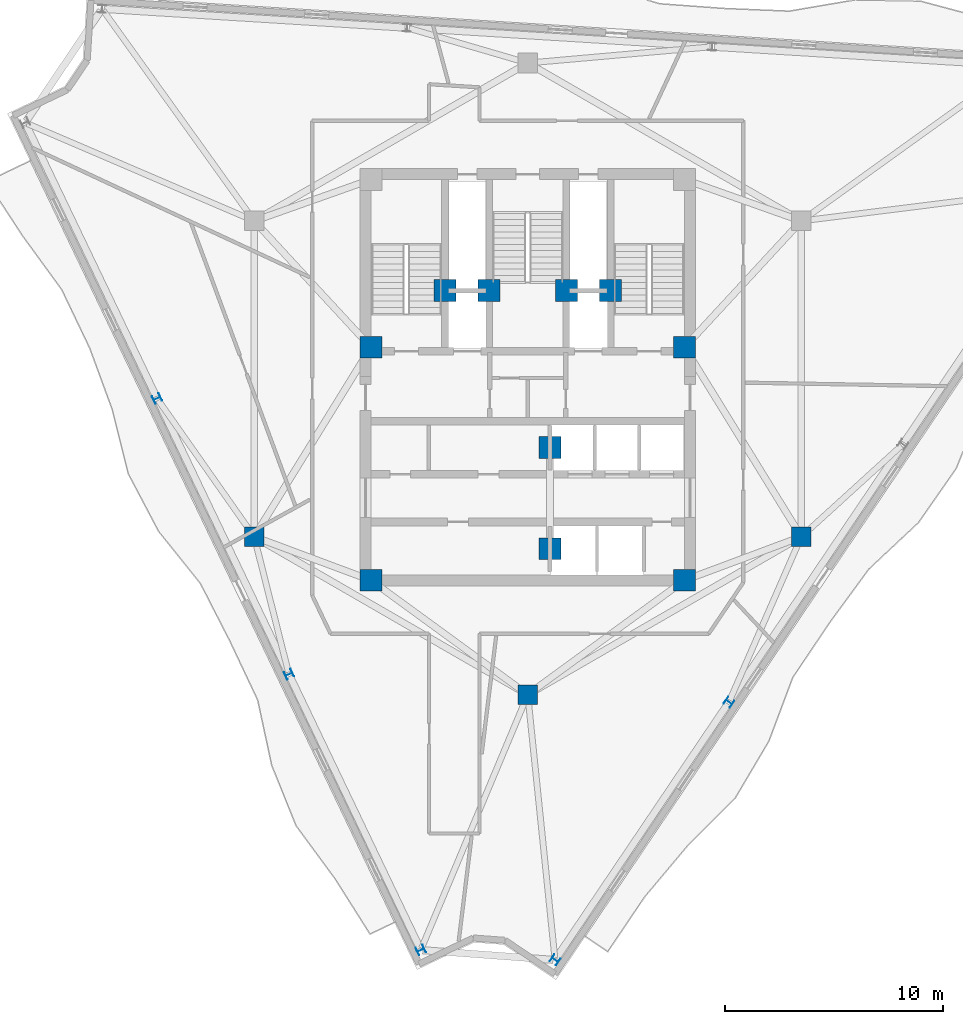
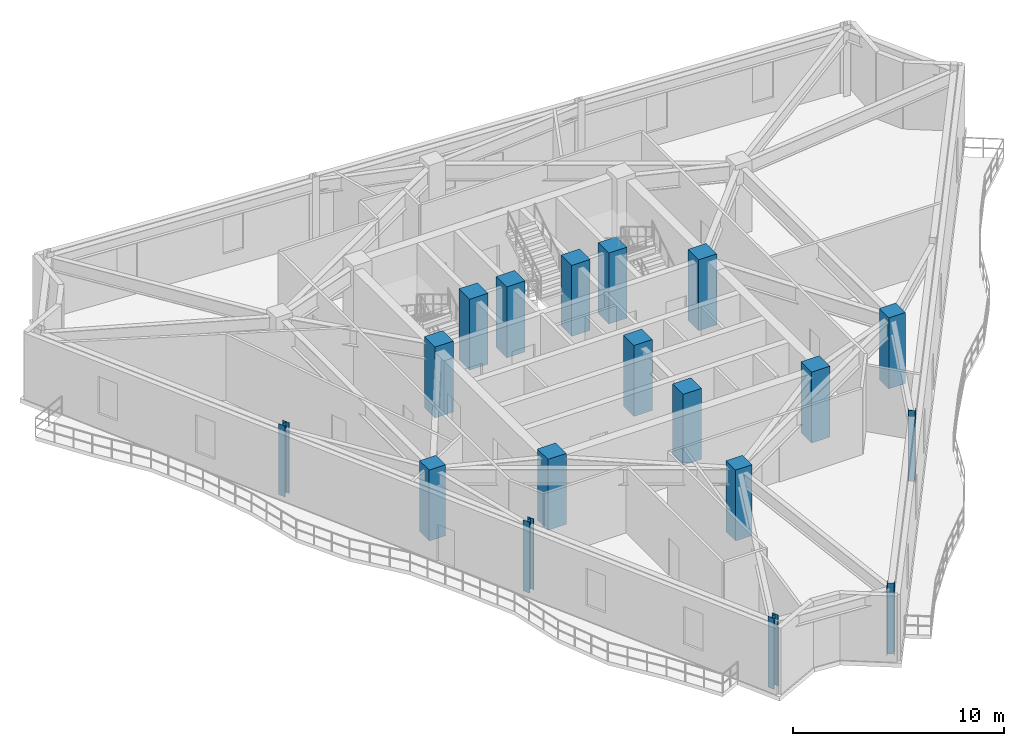
# One storey, part 1 of 11: 18 columns.
"""IFC4 building model written with IfcOpenShell, lengths in metres."""

from ifc_helpers import new_model, si_unit, direction, frame, origin, origin_2d, place, context, subcontext, project, spatial, rectangle, i_section, extrude, material, material_profile, profile_set, type_object, element, save


model = new_model("IFC4")

# Units and contexts
model_context = context("Model", 3, precision=1e-05, world=origin(), true_north=direction((0.0, 1.0)))
body_context = subcontext(model_context, "Body", "Model", "MODEL_VIEW")
ifc_project = project(units=[si_unit("LENGTHUNIT", "METRE"), si_unit("AREAUNIT", "SQUARE_METRE"), si_unit("VOLUMEUNIT", "CUBIC_METRE"), si_unit("PLANEANGLEUNIT", "RADIAN"), si_unit("MASSUNIT", "GRAM", prefix="KILO")], contexts=[model_context])

# Site, building, storey
site_placement = place(None, origin())
site = spatial("IfcSite", under=ifc_project, at=site_placement, CompositionType="ELEMENT")
building_placement = place(site_placement, origin())
building = spatial("IfcBuilding", under=site, at=building_placement, Name="Apsidion Concourse Tower", CompositionType="ELEMENT")
storey_placement = place(building_placement, frame((0.0, 0.0, 314.699951171875)))
storey = spatial("IfcBuildingStorey", under=building, at=storey_placement, Name="L74", CompositionType="ELEMENT", Elevation=314.699951171875)

# Columns
ifc_material_1 = material(Name="Concrete C50/60", Category="concrete")
ifc_material_profile_1 = material_profile(ifc_material_1, rectangle(XDim=1.0, YDim=1.0, at=origin_2d()), Name="RC 1000x1000")
ifc_profile_set_1 = profile_set([ifc_material_profile_1], Name="Concrete C50/60")
column_type_1 = type_object("IfcColumnType", Name="COL-RC-1000", PredefinedType="COLUMN", material=ifc_profile_set_1)
for number, where, z_axis, x_axis, name in (
    (1, (-7.199951171875, -9.25, 0.0), (0.0, 0.0, 1.0), (1.0, 0.0, 0.0), "L74 Core Super-Column SC1"),
    (2, (7.199951171875, -9.25, 0.0), (0.0, 0.0, 1.0), (1.0, 0.0, 0.0), "L74 Core Super-Column SC2"),
    (3, (7.199951171875, 1.449951171875, 0.0), (0.0, 0.0, 1.0), (1.0, 0.0, 0.0), "L74 Core Super-Column SC3"),
    (4, (-7.199951171875, 1.449951171875, 0.0), (0.0, 0.0, 1.0), (1.0, 0.0, 0.0), "L74 Core Super-Column SC6"),
    (5, (-3.800048828125, 4.050048828125, 0.0), (0.0, 0.0, 1.0), (1.0, 0.0, 0.0), "L74 Core Super-Column CC1"),
    (6, (3.800048828125, 4.050048828125, 0.0), (0.0, 0.0, 1.0), (1.0, 0.0, 0.0), "L74 Core Super-Column CC2"),
    (7, (-1.77490234375, 4.050048828125, 0.0), (0.0, 0.0, 1.0), (1.0, 0.0, 0.0), "L74 Core Super-Column CC3"),
    (8, (1.77490234375, 4.050048828125, 0.0), (0.0, 0.0, 1.0), (1.0, 0.0, 0.0), "L74 Core Super-Column CC4"),
    (9, (1.02490234375, -3.14990234375, 0.0), (0.0, 0.0, 1.0), (1.0, 0.0, 0.0), "L74 Core Super-Column CC5"),
    (10, (1.02490234375, -7.800048828125, 0.0), (0.0, 0.0, 1.0), (1.0, 0.0, 0.0), "L74 Core Super-Column CC6"),
):
    element("IfcColumn", number, at=place(storey_placement, frame(where, z_axis=z_axis, x_axis=x_axis)), inside=storey, type_object=column_type_1, Name=name, PredefinedType="COLUMN", context=body_context, shape_type="SweptSolid", body=[
        extrude(rectangle(XDim=1.0, YDim=1.0, at=origin_2d()), origin(), (0.0, 0.0, 1.0), 4.10009765625),
    ])
ifc_material_profile_2 = material_profile(ifc_material_1, rectangle(XDim=0.89990234375, YDim=0.89990234375, at=origin_2d()), Name="RC 900x900")
ifc_profile_set_2 = profile_set([ifc_material_profile_2], Name="Concrete C50/60")
column_type_2 = type_object("IfcColumnType", Name="COL-RC-900", PredefinedType="COLUMN", material=ifc_profile_set_2)
for number, where, z_axis, x_axis, name in (
    (11, (-12.56005859375, -7.25, 0.0), (0.0, 0.0, 1.0), (1.0, 0.0, 0.0), "L74 Interior Spine Column IC1"),
    (12, (12.56005859375, -7.25, 0.0), (0.0, 0.0, 1.0), (1.0, 0.0, 0.0), "L74 Interior Spine Column IC2"),
    (13, (0.0, -14.5, 0.0), (0.0, 0.0, 1.0), (1.0, 0.0, 0.0), "L74 Interior Spine Column IC6"),
):
    element("IfcColumn", number, at=place(storey_placement, frame(where, z_axis=z_axis, x_axis=x_axis)), inside=storey, type_object=column_type_2, Name=name, PredefinedType="COLUMN", context=body_context, shape_type="SweptSolid", body=[
        extrude(rectangle(XDim=0.89990234375, YDim=0.89990234375, at=origin_2d()), origin(), (0.0, 0.0, 1.0), 4.10009765625),
    ])
ifc_material_2 = material(Name="Structural steel ASTM A992 Grade 50", Category="steel")
ifc_material_profile_3 = material_profile(ifc_material_2, i_section(OverallWidth=0.367919921875, OverallDepth=0.35595703125, WebThickness=0.01123046875, FlangeThickness=0.01806640625, at=origin_2d()), Name="W14X90")
ifc_profile_set_3 = profile_set([ifc_material_profile_3], Name="Structural steel ASTM A992 Grade 50")
column_type_3 = type_object("IfcColumnType", Name="COL-W14-90", PredefinedType="COLUMN", material=ifc_profile_set_3)
for number, where, z_axis, x_axis, name in (
    (14, (-17.019287109375, -0.9033203125, 0.0), (0.0, 0.0, 1.0), (-0.431298587031, 0.902209248913, 0.0), "L74 Rotated Perimeter Column PC02"),
    (15, (-10.965576171875, -13.56494140625, 0.0), (0.0, 0.0, 1.0), (-0.431298587031, 0.902209248913, 0.0), "L74 Rotated Perimeter Column PC03"),
    (16, (-4.91162109375, -26.226806640625, 0.0), (0.0, 0.0, 1.0), (-0.431298587031, 0.902209248913, 0.0), "L74 Rotated Perimeter Column PC04"),
    (17, (1.25390625, -26.681884765625, 0.0), (0.0, 0.0, 1.0), (0.559192903471, 0.829037572555, 0.0), "L74 Rotated Perimeter Column PC05"),
    (18, (9.239013671875, -14.84375, 0.0), (0.0, 0.0, 1.0), (0.559192903471, 0.829037572555, 0.0), "L74 Rotated Perimeter Column PC06"),
):
    element("IfcColumn", number, at=place(storey_placement, frame(where, z_axis=z_axis, x_axis=x_axis)), inside=storey, type_object=column_type_3, Name=name, PredefinedType="COLUMN", context=body_context, shape_type="SweptSolid", body=[
        extrude(i_section(OverallWidth=0.367919921875, OverallDepth=0.35595703125, WebThickness=0.01123046875, FlangeThickness=0.01806640625, at=origin_2d()), origin(), (0.0, 0.0, 1.0), 4.10009765625),
    ])

save(model, "model.ifc")
